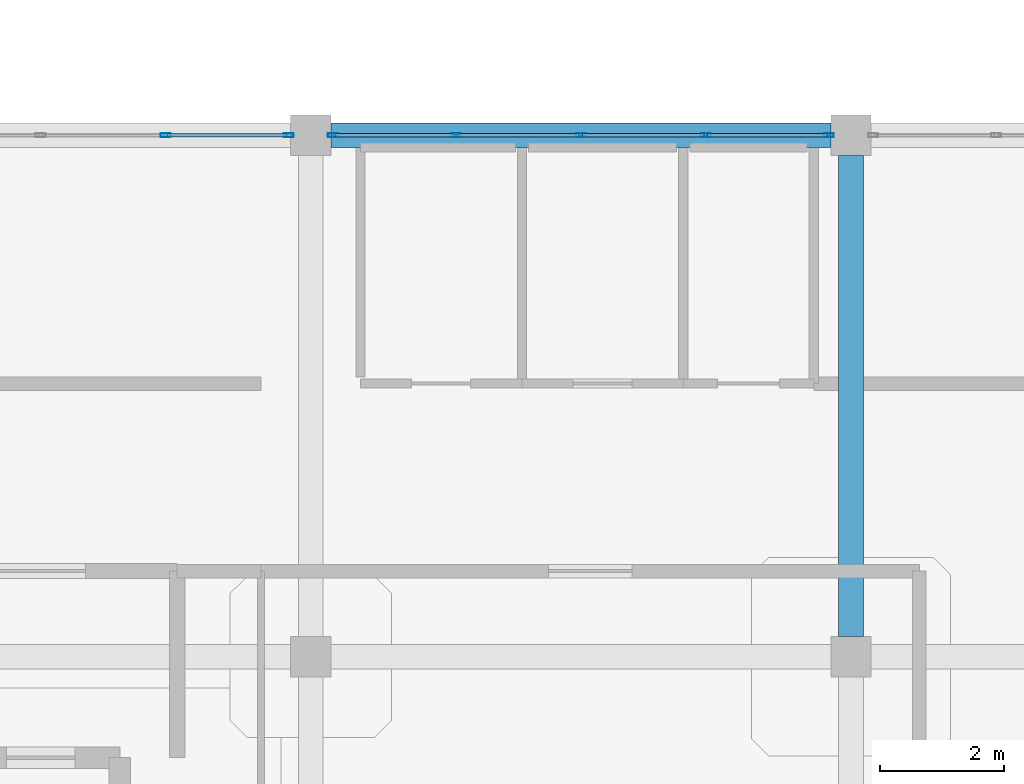
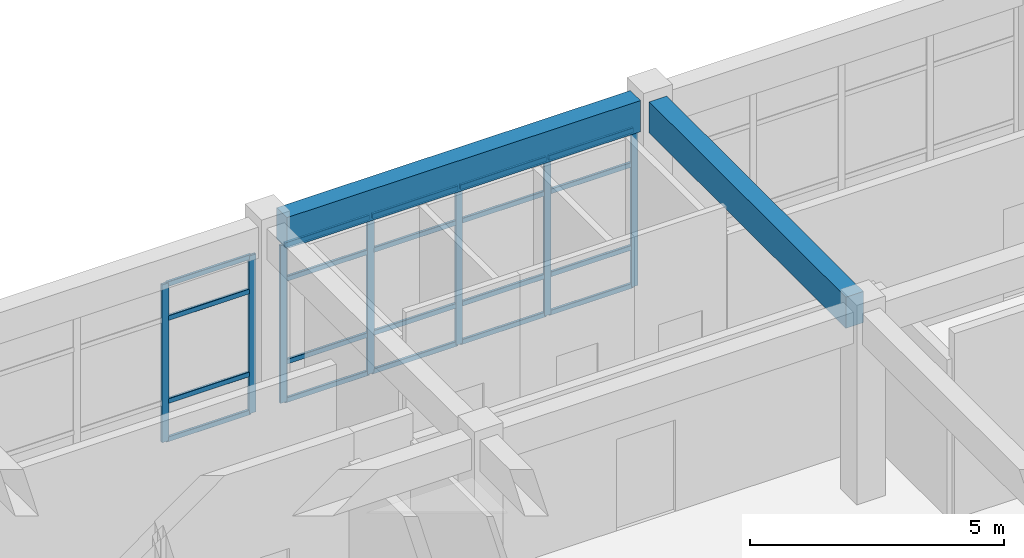
# One storey, part 17 of 41: 27 members, 2 beams, 2 elements without a shape of their own.
"""IFC4 building model written with IfcOpenShell, lengths in metres."""

from ifc_helpers import new_model, si_unit, derived_unit, direction, frame, origin, origin_2d, place, context, subcontext, project, spatial, rectangle, hollow_rectangle, extrude, material, layer, layer_set, material_profile, profile_set, type_object, element, aggregate, save


model = new_model("IFC4")

# Units and contexts
model_context = context("Model", 3, precision=1e-05, world=origin(), true_north=direction((0.0, 1.0)))
body_context = subcontext(model_context, "Body", "Model", "MODEL_VIEW")
ifc_project = project(units=[si_unit("LENGTHUNIT", "METRE"), si_unit("AREAUNIT", "SQUARE_METRE"), si_unit("VOLUMEUNIT", "CUBIC_METRE"), si_unit("PLANEANGLEUNIT", "RADIAN"), si_unit("MASSUNIT", "GRAM", prefix="KILO"), derived_unit("THERMALTRANSMITTANCEUNIT", [(si_unit("MASSUNIT", "GRAM", prefix="KILO"), 1), (si_unit("TIMEUNIT", "SECOND"), -3), (si_unit("THERMODYNAMICTEMPERATUREUNIT", "KELVIN"), -1)])], contexts=[model_context])

# Site, building, storey
site_placement = place(None, origin())
site = spatial("IfcSite", under=ifc_project, at=site_placement, CompositionType="ELEMENT")
building_placement = place(site_placement, origin())
building = spatial("IfcBuilding", under=site, at=building_placement, Name="Qinzheling Arcade Emporium", CompositionType="ELEMENT")
storey_placement = place(building_placement, frame((0.0, 0.0, 36.300048828125)))
storey = spatial("IfcBuildingStorey", under=building, at=storey_placement, Name="L08", CompositionType="ELEMENT", Elevation=36.300048828125)

# Curtain wall, members
ifc_material_1 = material(Name="Anodised aluminium and solar-control double glazing", Category="aluminium")
ifc_layer = layer(ifc_material_1, 0.159912109375, Name="Anodised aluminium and solar-control double glazing", Category="aluminium")
ifc_layer_set = layer_set([ifc_layer], Name="Anodised aluminium and solar-control double glazing")
curtain_wall_type = type_object("IfcCurtainWallType", Name="Atrium Clerestory Curtain Wall", PredefinedType="NOTDEFINED", material=ifc_layer_set)
curtain_wall_1_placement = place(storey_placement, origin())
curtain_wall_1 = element("IfcCurtainWall", 1, at=curtain_wall_1_placement, inside=storey, type_object=curtain_wall_type, Name="Curtain Wall CW-L08-463", PredefinedType="NOTDEFINED")
ifc_material_2 = material(Name="Anodised aluminium 6063-T6", Category="aluminium")
ifc_material_profile_1 = material_profile(ifc_material_2, hollow_rectangle(XDim=0.06005859375, YDim=0.159912109375, WallThickness=0.00390625, InnerFilletRadius=0.00390625, OuterFilletRadius=0.008056640625, at=origin_2d()), Name="RHS 160x60x4", Category="aluminium")
ifc_profile_set_1 = profile_set([ifc_material_profile_1], Name="Anodised aluminium 6063-T6")
member_type_1 = type_object("IfcMemberType", Name="Curtain Wall Mullion RHS160x60", PredefinedType="MULLION", material=ifc_profile_set_1)
member_1_placement = place(storey_placement, frame((32.46142578125, 42.0, 0.0), z_axis=(0.0, 0.0, 1.0), x_axis=(0.0, 1.0, 0.0)))
member_1 = element("IfcMember", 2, at=member_1_placement, type_object=member_type_1, Name="CW03 mullion 4", PredefinedType="MULLION", context=body_context, shape_type="SweptSolid", body=[
    extrude(hollow_rectangle(XDim=0.06005859375, YDim=0.159912109375, WallThickness=0.00390625, InnerFilletRadius=0.00390625, OuterFilletRadius=0.008056640625, at=origin_2d()), origin(), (0.0, 0.0, 1.0), 3.794921875),
])
member_2_placement = place(storey_placement, frame((34.443115234375, 42.0, 0.0), z_axis=(0.0, 0.0, 1.0), x_axis=(0.0, 1.0, 0.0)))
member_2 = element("IfcMember", 3, at=member_2_placement, type_object=member_type_1, Name="CW03 mullion 5", PredefinedType="MULLION", context=body_context, shape_type="SweptSolid", body=[
    extrude(hollow_rectangle(XDim=0.06005859375, YDim=0.159912109375, WallThickness=0.00390625, InnerFilletRadius=0.00390625, OuterFilletRadius=0.008056640625, at=origin_2d()), origin(), (0.0, 0.0, 1.0), 3.794921875),
])

curtain_wall_2_placement = place(storey_placement, origin())
curtain_wall_2 = element("IfcCurtainWall", 4, at=curtain_wall_2_placement, inside=storey, type_object=curtain_wall_type, Name="Curtain Wall CW-L08-464", PredefinedType="NOTDEFINED")
member_3_placement = place(storey_placement, frame((35.156982421875, 42.0, 0.0), z_axis=(0.0, 0.0, 1.0), x_axis=(0.0, 1.0, 0.0)))
member_3 = element("IfcMember", 5, at=member_3_placement, type_object=member_type_1, Name="CW03 mullion 1", PredefinedType="MULLION", context=body_context, shape_type="SweptSolid", body=[
    extrude(hollow_rectangle(XDim=0.06005859375, YDim=0.159912109375, WallThickness=0.00390625, InnerFilletRadius=0.00390625, OuterFilletRadius=0.008056640625, at=origin_2d()), origin(), (0.0, 0.0, 1.0), 3.794921875),
])
member_4_placement = place(storey_placement, frame((37.138427734375, 42.0, 0.0), z_axis=(0.0, 0.0, 1.0), x_axis=(0.0, 1.0, 0.0)))
member_4 = element("IfcMember", 6, at=member_4_placement, type_object=member_type_1, Name="CW03 mullion 2", PredefinedType="MULLION", context=body_context, shape_type="SweptSolid", body=[
    extrude(hollow_rectangle(XDim=0.06005859375, YDim=0.159912109375, WallThickness=0.00390625, InnerFilletRadius=0.00390625, OuterFilletRadius=0.008056640625, at=origin_2d()), origin(), (0.0, 0.0, 1.0), 3.794921875),
])
member_5_placement = place(storey_placement, frame((39.14990234375, 42.0, 0.0), z_axis=(0.0, 0.0, 1.0), x_axis=(0.0, 1.0, 0.0)))
member_5 = element("IfcMember", 7, at=member_5_placement, type_object=member_type_1, Name="CW03 mullion 3", PredefinedType="MULLION", context=body_context, shape_type="SweptSolid", body=[
    extrude(hollow_rectangle(XDim=0.06005859375, YDim=0.159912109375, WallThickness=0.00390625, InnerFilletRadius=0.00390625, OuterFilletRadius=0.008056640625, at=origin_2d()), origin(), (0.0, 0.0, 1.0), 3.794921875),
])
member_6_placement = place(storey_placement, frame((41.16162109375, 42.0, 0.0), z_axis=(0.0, 0.0, 1.0), x_axis=(0.0, 1.0, 0.0)))
member_6 = element("IfcMember", 8, at=member_6_placement, type_object=member_type_1, Name="CW03 mullion 4", PredefinedType="MULLION", context=body_context, shape_type="SweptSolid", body=[
    extrude(hollow_rectangle(XDim=0.06005859375, YDim=0.159912109375, WallThickness=0.00390625, InnerFilletRadius=0.00390625, OuterFilletRadius=0.008056640625, at=origin_2d()), origin(), (0.0, 0.0, 1.0), 3.794921875),
])
member_7_placement = place(storey_placement, frame((43.14306640625, 42.0, 0.0), z_axis=(0.0, 0.0, 1.0), x_axis=(0.0, 1.0, 0.0)))
member_7 = element("IfcMember", 9, at=member_7_placement, type_object=member_type_1, Name="CW03 mullion 5", PredefinedType="MULLION", context=body_context, shape_type="SweptSolid", body=[
    extrude(hollow_rectangle(XDim=0.06005859375, YDim=0.159912109375, WallThickness=0.00390625, InnerFilletRadius=0.00390625, OuterFilletRadius=0.008056640625, at=origin_2d()), origin(), (0.0, 0.0, 1.0), 3.794921875),
])

# Member
ifc_material_profile_2 = material_profile(ifc_material_2, hollow_rectangle(XDim=0.06005859375, YDim=0.1201171875, WallThickness=0.00390625, InnerFilletRadius=0.00390625, OuterFilletRadius=0.008056640625, at=origin_2d()), Name="RHS 120x60x4", Category="aluminium")
ifc_profile_set_2 = profile_set([ifc_material_profile_2], Name="Anodised aluminium 6063-T6")
member_type_2 = type_object("IfcMemberType", Name="Curtain Wall Transom RHS120x60", PredefinedType="USERDEFINED", material=ifc_profile_set_2)
member_8_placement = place(storey_placement, frame((32.491455078125, 42.0, 0.030029296875), z_axis=(1.0, 0.0, 0.0), x_axis=(0.0, 1.0, 0.0)))
member_8 = element("IfcMember", 10, at=member_8_placement, type_object=member_type_2, Name="CW03 transom 4.1", ObjectType="TRANSOM", PredefinedType="USERDEFINED", context=body_context, shape_type="SweptSolid", body=[
    extrude(hollow_rectangle(XDim=0.06005859375, YDim=0.1201171875, WallThickness=0.00390625, InnerFilletRadius=0.00390625, OuterFilletRadius=0.008056640625, at=origin_2d()), origin(), (0.0, 0.0, 1.0), 1.921630859375),
])

member_9_placement = place(storey_placement, frame((32.491455078125, 42.0, 0.949951171875), z_axis=(1.0, 0.0, 0.0), x_axis=(0.0, 1.0, 0.0)))
member_9 = element("IfcMember", 11, at=member_9_placement, type_object=member_type_2, Name="CW03 transom 4.2", ObjectType="TRANSOM", PredefinedType="USERDEFINED", context=body_context, shape_type="SweptSolid", body=[
    extrude(hollow_rectangle(XDim=0.06005859375, YDim=0.1201171875, WallThickness=0.00390625, InnerFilletRadius=0.00390625, OuterFilletRadius=0.008056640625, at=origin_2d()), origin(), (0.0, 0.0, 1.0), 1.921630859375),
])

member_10_placement = place(storey_placement, frame((32.491455078125, 42.0, 2.945068359375), z_axis=(1.0, 0.0, 0.0), x_axis=(0.0, 1.0, 0.0)))
member_10 = element("IfcMember", 12, at=member_10_placement, type_object=member_type_2, Name="CW03 transom 4.3", ObjectType="TRANSOM", PredefinedType="USERDEFINED", context=body_context, shape_type="SweptSolid", body=[
    extrude(hollow_rectangle(XDim=0.06005859375, YDim=0.1201171875, WallThickness=0.00390625, InnerFilletRadius=0.00390625, OuterFilletRadius=0.008056640625, at=origin_2d()), origin(), (0.0, 0.0, 1.0), 1.921630859375),
])

member_11_placement = place(storey_placement, frame((32.491455078125, 42.0, 3.764892578125), z_axis=(1.0, 0.0, 0.0), x_axis=(0.0, 1.0, 0.0)))
member_11 = element("IfcMember", 13, at=member_11_placement, type_object=member_type_2, Name="CW03 transom 4.4", ObjectType="TRANSOM", PredefinedType="USERDEFINED", context=body_context, shape_type="SweptSolid", body=[
    extrude(hollow_rectangle(XDim=0.06005859375, YDim=0.1201171875, WallThickness=0.00390625, InnerFilletRadius=0.00390625, OuterFilletRadius=0.008056640625, at=origin_2d()), origin(), (0.0, 0.0, 1.0), 1.921630859375),
])

aggregate(curtain_wall_1, [member_1, member_2, member_8, member_9, member_10, member_11])

member_12_placement = place(storey_placement, frame((35.18701171875, 42.0, 0.030029296875), z_axis=(1.0, 0.0, 0.0), x_axis=(0.0, 1.0, 0.0)))
member_12 = element("IfcMember", 14, at=member_12_placement, type_object=member_type_2, Name="CW03 transom 1.1", ObjectType="TRANSOM", PredefinedType="USERDEFINED", context=body_context, shape_type="SweptSolid", body=[
    extrude(hollow_rectangle(XDim=0.06005859375, YDim=0.1201171875, WallThickness=0.00390625, InnerFilletRadius=0.00390625, OuterFilletRadius=0.008056640625, at=origin_2d()), origin(), (0.0, 0.0, 1.0), 1.92138671875),
])

member_13_placement = place(storey_placement, frame((35.18701171875, 42.0, 0.949951171875), z_axis=(1.0, 0.0, 0.0), x_axis=(0.0, 1.0, 0.0)))
member_13 = element("IfcMember", 15, at=member_13_placement, type_object=member_type_2, Name="CW03 transom 1.2", ObjectType="TRANSOM", PredefinedType="USERDEFINED", context=body_context, shape_type="SweptSolid", body=[
    extrude(hollow_rectangle(XDim=0.06005859375, YDim=0.1201171875, WallThickness=0.00390625, InnerFilletRadius=0.00390625, OuterFilletRadius=0.008056640625, at=origin_2d()), origin(), (0.0, 0.0, 1.0), 1.92138671875),
])

member_14_placement = place(storey_placement, frame((35.18701171875, 42.0, 2.945068359375), z_axis=(1.0, 0.0, 0.0), x_axis=(0.0, 1.0, 0.0)))
member_14 = element("IfcMember", 16, at=member_14_placement, type_object=member_type_2, Name="CW03 transom 1.3", ObjectType="TRANSOM", PredefinedType="USERDEFINED", context=body_context, shape_type="SweptSolid", body=[
    extrude(hollow_rectangle(XDim=0.06005859375, YDim=0.1201171875, WallThickness=0.00390625, InnerFilletRadius=0.00390625, OuterFilletRadius=0.008056640625, at=origin_2d()), origin(), (0.0, 0.0, 1.0), 1.92138671875),
])

member_15_placement = place(storey_placement, frame((35.18701171875, 42.0, 3.764892578125), z_axis=(1.0, 0.0, 0.0), x_axis=(0.0, 1.0, 0.0)))
member_15 = element("IfcMember", 17, at=member_15_placement, type_object=member_type_2, Name="CW03 transom 1.4", ObjectType="TRANSOM", PredefinedType="USERDEFINED", context=body_context, shape_type="SweptSolid", body=[
    extrude(hollow_rectangle(XDim=0.06005859375, YDim=0.1201171875, WallThickness=0.00390625, InnerFilletRadius=0.00390625, OuterFilletRadius=0.008056640625, at=origin_2d()), origin(), (0.0, 0.0, 1.0), 1.92138671875),
])

member_16_placement = place(storey_placement, frame((37.16845703125, 42.0, 0.030029296875), z_axis=(1.0, 0.0, 0.0), x_axis=(0.0, 1.0, 0.0)))
member_16 = element("IfcMember", 18, at=member_16_placement, type_object=member_type_2, Name="CW03 transom 2.1", ObjectType="TRANSOM", PredefinedType="USERDEFINED", context=body_context, shape_type="SweptSolid", body=[
    extrude(hollow_rectangle(XDim=0.06005859375, YDim=0.1201171875, WallThickness=0.00390625, InnerFilletRadius=0.00390625, OuterFilletRadius=0.008056640625, at=origin_2d()), origin(), (0.0, 0.0, 1.0), 1.95166015625),
])

member_17_placement = place(storey_placement, frame((37.16845703125, 42.0, 0.949951171875), z_axis=(1.0, 0.0, 0.0), x_axis=(0.0, 1.0, 0.0)))
member_17 = element("IfcMember", 19, at=member_17_placement, type_object=member_type_2, Name="CW03 transom 2.2", ObjectType="TRANSOM", PredefinedType="USERDEFINED", context=body_context, shape_type="SweptSolid", body=[
    extrude(hollow_rectangle(XDim=0.06005859375, YDim=0.1201171875, WallThickness=0.00390625, InnerFilletRadius=0.00390625, OuterFilletRadius=0.008056640625, at=origin_2d()), origin(), (0.0, 0.0, 1.0), 1.95166015625),
])

member_18_placement = place(storey_placement, frame((37.16845703125, 42.0, 2.945068359375), z_axis=(1.0, 0.0, 0.0), x_axis=(0.0, 1.0, 0.0)))
member_18 = element("IfcMember", 20, at=member_18_placement, type_object=member_type_2, Name="CW03 transom 2.3", ObjectType="TRANSOM", PredefinedType="USERDEFINED", context=body_context, shape_type="SweptSolid", body=[
    extrude(hollow_rectangle(XDim=0.06005859375, YDim=0.1201171875, WallThickness=0.00390625, InnerFilletRadius=0.00390625, OuterFilletRadius=0.008056640625, at=origin_2d()), origin(), (0.0, 0.0, 1.0), 1.95166015625),
])

member_19_placement = place(storey_placement, frame((37.16845703125, 42.0, 3.764892578125), z_axis=(1.0, 0.0, 0.0), x_axis=(0.0, 1.0, 0.0)))
member_19 = element("IfcMember", 21, at=member_19_placement, type_object=member_type_2, Name="CW03 transom 2.4", ObjectType="TRANSOM", PredefinedType="USERDEFINED", context=body_context, shape_type="SweptSolid", body=[
    extrude(hollow_rectangle(XDim=0.06005859375, YDim=0.1201171875, WallThickness=0.00390625, InnerFilletRadius=0.00390625, OuterFilletRadius=0.008056640625, at=origin_2d()), origin(), (0.0, 0.0, 1.0), 1.95166015625),
])

member_20_placement = place(storey_placement, frame((39.179931640625, 42.0, 0.030029296875), z_axis=(1.0, 0.0, 0.0), x_axis=(0.0, 1.0, 0.0)))
member_20 = element("IfcMember", 22, at=member_20_placement, type_object=member_type_2, Name="CW03 transom 3.1", ObjectType="TRANSOM", PredefinedType="USERDEFINED", context=body_context, shape_type="SweptSolid", body=[
    extrude(hollow_rectangle(XDim=0.06005859375, YDim=0.1201171875, WallThickness=0.00390625, InnerFilletRadius=0.00390625, OuterFilletRadius=0.008056640625, at=origin_2d()), origin(), (0.0, 0.0, 1.0), 1.95166015625),
])

member_21_placement = place(storey_placement, frame((39.179931640625, 42.0, 0.949951171875), z_axis=(1.0, 0.0, 0.0), x_axis=(0.0, 1.0, 0.0)))
member_21 = element("IfcMember", 23, at=member_21_placement, type_object=member_type_2, Name="CW03 transom 3.2", ObjectType="TRANSOM", PredefinedType="USERDEFINED", context=body_context, shape_type="SweptSolid", body=[
    extrude(hollow_rectangle(XDim=0.06005859375, YDim=0.1201171875, WallThickness=0.00390625, InnerFilletRadius=0.00390625, OuterFilletRadius=0.008056640625, at=origin_2d()), origin(), (0.0, 0.0, 1.0), 1.95166015625),
])

member_22_placement = place(storey_placement, frame((39.179931640625, 42.0, 2.945068359375), z_axis=(1.0, 0.0, 0.0), x_axis=(0.0, 1.0, 0.0)))
member_22 = element("IfcMember", 24, at=member_22_placement, type_object=member_type_2, Name="CW03 transom 3.3", ObjectType="TRANSOM", PredefinedType="USERDEFINED", context=body_context, shape_type="SweptSolid", body=[
    extrude(hollow_rectangle(XDim=0.06005859375, YDim=0.1201171875, WallThickness=0.00390625, InnerFilletRadius=0.00390625, OuterFilletRadius=0.008056640625, at=origin_2d()), origin(), (0.0, 0.0, 1.0), 1.95166015625),
])

member_23_placement = place(storey_placement, frame((39.179931640625, 42.0, 3.764892578125), z_axis=(1.0, 0.0, 0.0), x_axis=(0.0, 1.0, 0.0)))
member_23 = element("IfcMember", 25, at=member_23_placement, type_object=member_type_2, Name="CW03 transom 3.4", ObjectType="TRANSOM", PredefinedType="USERDEFINED", context=body_context, shape_type="SweptSolid", body=[
    extrude(hollow_rectangle(XDim=0.06005859375, YDim=0.1201171875, WallThickness=0.00390625, InnerFilletRadius=0.00390625, OuterFilletRadius=0.008056640625, at=origin_2d()), origin(), (0.0, 0.0, 1.0), 1.95166015625),
])

member_24_placement = place(storey_placement, frame((41.19140625, 42.0, 0.030029296875), z_axis=(1.0, 0.0, 0.0), x_axis=(0.0, 1.0, 0.0)))
member_24 = element("IfcMember", 26, at=member_24_placement, type_object=member_type_2, Name="CW03 transom 4.1", ObjectType="TRANSOM", PredefinedType="USERDEFINED", context=body_context, shape_type="SweptSolid", body=[
    extrude(hollow_rectangle(XDim=0.06005859375, YDim=0.1201171875, WallThickness=0.00390625, InnerFilletRadius=0.00390625, OuterFilletRadius=0.008056640625, at=origin_2d()), origin(), (0.0, 0.0, 1.0), 1.921630859375),
])

member_25_placement = place(storey_placement, frame((41.19140625, 42.0, 0.949951171875), z_axis=(1.0, 0.0, 0.0), x_axis=(0.0, 1.0, 0.0)))
member_25 = element("IfcMember", 27, at=member_25_placement, type_object=member_type_2, Name="CW03 transom 4.2", ObjectType="TRANSOM", PredefinedType="USERDEFINED", context=body_context, shape_type="SweptSolid", body=[
    extrude(hollow_rectangle(XDim=0.06005859375, YDim=0.1201171875, WallThickness=0.00390625, InnerFilletRadius=0.00390625, OuterFilletRadius=0.008056640625, at=origin_2d()), origin(), (0.0, 0.0, 1.0), 1.921630859375),
])

member_26_placement = place(storey_placement, frame((41.19140625, 42.0, 2.945068359375), z_axis=(1.0, 0.0, 0.0), x_axis=(0.0, 1.0, 0.0)))
member_26 = element("IfcMember", 28, at=member_26_placement, type_object=member_type_2, Name="CW03 transom 4.3", ObjectType="TRANSOM", PredefinedType="USERDEFINED", context=body_context, shape_type="SweptSolid", body=[
    extrude(hollow_rectangle(XDim=0.06005859375, YDim=0.1201171875, WallThickness=0.00390625, InnerFilletRadius=0.00390625, OuterFilletRadius=0.008056640625, at=origin_2d()), origin(), (0.0, 0.0, 1.0), 1.921630859375),
])

member_27_placement = place(storey_placement, frame((41.19140625, 42.0, 3.764892578125), z_axis=(1.0, 0.0, 0.0), x_axis=(0.0, 1.0, 0.0)))
member_27 = element("IfcMember", 29, at=member_27_placement, type_object=member_type_2, Name="CW03 transom 4.4", ObjectType="TRANSOM", PredefinedType="USERDEFINED", context=body_context, shape_type="SweptSolid", body=[
    extrude(hollow_rectangle(XDim=0.06005859375, YDim=0.1201171875, WallThickness=0.00390625, InnerFilletRadius=0.00390625, OuterFilletRadius=0.008056640625, at=origin_2d()), origin(), (0.0, 0.0, 1.0), 1.921630859375),
])

aggregate(curtain_wall_2, [member_3, member_4, member_5, member_6, member_7, member_12, member_13, member_14, member_15, member_16, member_17, member_18, member_19, member_20, member_21, member_22, member_23, member_24, member_25, member_26, member_27])

# Beams
ifc_material_3 = material(Name="Concrete C40", Category="concrete")
ifc_material_profile_3 = material_profile(ifc_material_3, rectangle(XDim=0.39990234375, YDim=0.75, at=origin_2d()), Name="RC 400x750", Category="concrete")
ifc_profile_set_3 = profile_set([ifc_material_profile_3], Name="Concrete C40")
beam_type = type_object("IfcBeamType", Name="RC Interior Tie Beam 400x750 C40", PredefinedType="BEAM", material=ifc_profile_set_3)
beam_1_placement = place(storey_placement, frame((35.125, 42.0, 4.18505859375), z_axis=(1.0, 0.0, 0.0), x_axis=(0.0, 1.0, 0.0)))
element("IfcBeam", 30, at=beam_1_placement, inside=storey, type_object=beam_type, Name="Beam BM-L08-X-F-5", PredefinedType="BEAM", context=body_context, shape_type="SweptSolid", body=[
    extrude(rectangle(XDim=0.39990234375, YDim=0.75, at=origin_2d()), origin(), (0.0, 0.0, 1.0), 8.050048828125),
])
beam_2_placement = place(storey_placement, frame((43.5, 33.925048828125, 4.18505859375), z_axis=(0.0, 1.0, 0.0), x_axis=(-1.0, 0.0, 0.0)))
element("IfcBeam", 31, at=beam_2_placement, inside=storey, type_object=beam_type, Name="Beam BM-L08-Y-6-E", PredefinedType="BEAM", context=body_context, shape_type="SweptSolid", body=[
    extrude(rectangle(XDim=0.39990234375, YDim=0.75, at=origin_2d()), origin(), (0.0, 0.0, 1.0), 7.75),
])

save(model, "model.ifc")
